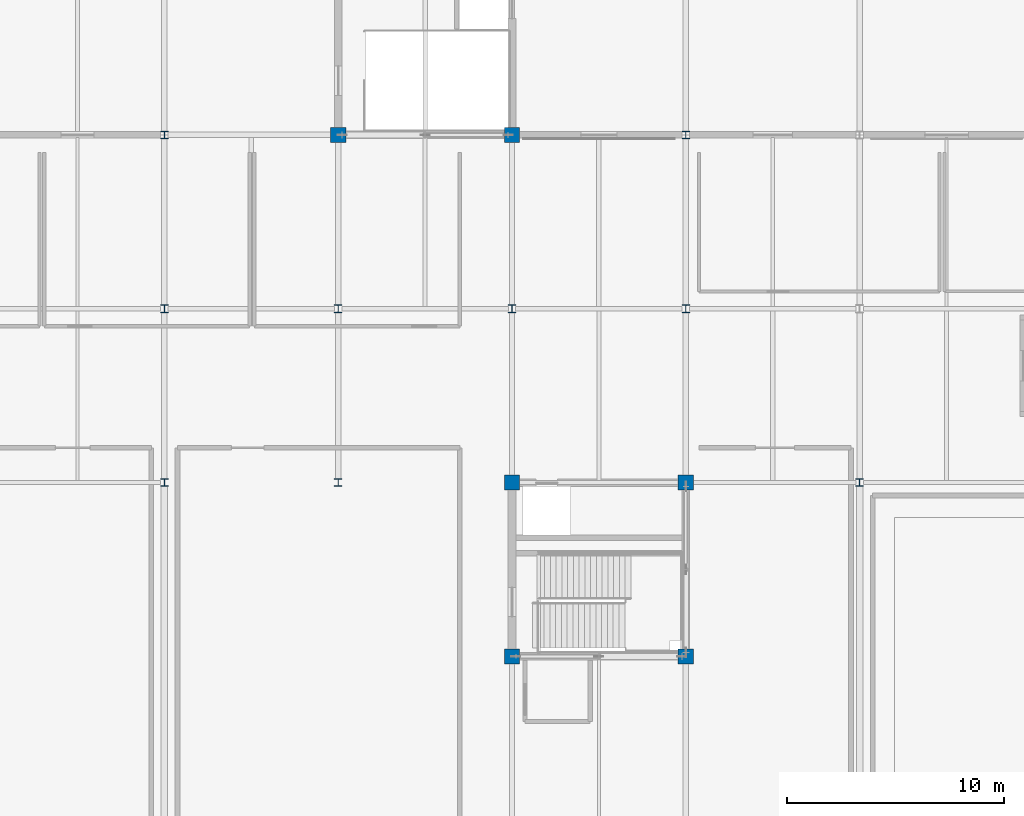
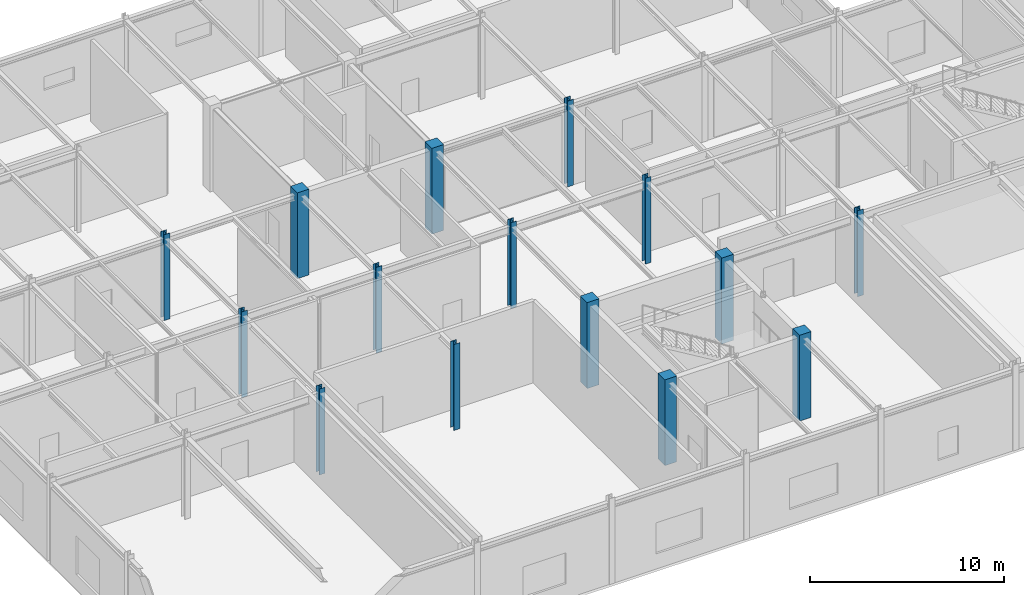
# One storey, part 13 of 108: 15 columns.
"""IFC4 building model written with IfcOpenShell, lengths in metres."""

from ifc_helpers import new_model, si_unit, direction, frame, origin, origin_2d, place, context, subcontext, project, spatial, rectangle, i_section, extrude, material, material_profile, profile_set, type_object, element, save


model = new_model("IFC4")

# Units and contexts
model_context = context("Model", 3, precision=1e-05, world=origin(), true_north=direction((0.0, 1.0)))
body_context = subcontext(model_context, "Body", "Model", "MODEL_VIEW")
ifc_project = project(units=[si_unit("LENGTHUNIT", "METRE"), si_unit("AREAUNIT", "SQUARE_METRE"), si_unit("VOLUMEUNIT", "CUBIC_METRE"), si_unit("PLANEANGLEUNIT", "RADIAN"), si_unit("MASSUNIT", "GRAM", prefix="KILO")], contexts=[model_context])

# Site, building, storey
site_placement = place(None, origin())
site = spatial("IfcSite", under=ifc_project, at=site_placement, CompositionType="ELEMENT")
building_placement = place(site_placement, origin())
building = spatial("IfcBuilding", under=site, at=building_placement, Name="Zhaolan Boulevard Law Courts", CompositionType="ELEMENT")
storey_placement = place(building_placement, frame((0.0, 0.0, 10.800048828125)))
storey = spatial("IfcBuildingStorey", under=building, at=storey_placement, Name="L02", CompositionType="ELEMENT", Elevation=10.800048828125)

# Columns
ifc_material_1 = material(Name="Structural steel Q355B", Category="steel")
ifc_material_profile_1 = material_profile(ifc_material_1, i_section(OverallWidth=0.35009765625, OverallDepth=0.35009765625, WebThickness=0.011962890625, FlangeThickness=0.01904296875, FilletRadius=0.02001953125, at=origin_2d()), Name="HW350x350")
ifc_profile_set_1 = profile_set([ifc_material_profile_1], Name="Structural steel Q355B")
column_type_1 = type_object("IfcColumnType", Name="COL HW350", PredefinedType="COLUMN", material=ifc_profile_set_1)
for number, where, z_axis, x_axis, name in (
    (1, (68.0, 78.0, 0.0), (0.0, 0.0, 1.0), (1.0, 0.0, 0.0), "Column C-9L (L02)"),
    (2, (68.0, 86.0, 0.0), (0.0, 0.0, 1.0), (1.0, 0.0, 0.0), "Column C-9M (L02)"),
    (3, (68.0, 94.0, 0.0), (0.0, 0.0, 1.0), (1.0, 0.0, 0.0), "Column C-9N (L02)"),
    (4, (76.0, 78.0, 0.0), (0.0, 0.0, 1.0), (1.0, 0.0, 0.0), "Column C-10L (L02)"),
    (5, (76.0, 86.0, 0.0), (0.0, 0.0, 1.0), (1.0, 0.0, 0.0), "Column C-10M (L02)"),
    (6, (84.0, 86.0, 0.0), (0.0, 0.0, 1.0), (1.0, 0.0, 0.0), "Column C-11M (L02)"),
    (7, (92.0, 86.0, 0.0), (0.0, 0.0, 1.0), (1.0, 0.0, 0.0), "Column C-12M (L02)"),
    (8, (92.0, 94.0, 0.0), (0.0, 0.0, 1.0), (1.0, 0.0, 0.0), "Column C-12N (L02)"),
    (9, (100.0, 78.0, 0.0), (0.0, 0.0, 1.0), (1.0, 0.0, 0.0), "Column C-13L (L02)"),
):
    element("IfcColumn", number, at=place(storey_placement, frame(where, z_axis=z_axis, x_axis=x_axis)), inside=storey, type_object=column_type_1, Name=name, PredefinedType="COLUMN", context=body_context, shape_type="SweptSolid", body=[
        extrude(i_section(OverallWidth=0.35009765625, OverallDepth=0.35009765625, WebThickness=0.011962890625, FlangeThickness=0.01904296875, FilletRadius=0.02001953125, at=origin_2d()), origin(), (0.0, 0.0, 1.0), 5.39990234375),
    ])
ifc_material_2 = material(Name="Concrete C50", Category="concrete")
ifc_material_profile_2 = material_profile(ifc_material_2, rectangle(XDim=0.699951171875, YDim=0.699951171875, at=origin_2d()), Name="RC700x700")
ifc_profile_set_2 = profile_set([ifc_material_profile_2], Name="Concrete C50")
column_type_2 = type_object("IfcColumnType", Name="COL RC700", PredefinedType="COLUMN", material=ifc_profile_set_2)
for number, where, z_axis, x_axis, name in (
    (10, (76.0, 94.0, 0.0), (0.0, 0.0, 1.0), (1.0, 0.0, 0.0), "Column C-10N (L02)"),
    (11, (84.0, 70.0, 0.0), (0.0, 0.0, 1.0), (1.0, 0.0, 0.0), "Column C-11K (L02)"),
    (12, (84.0, 78.0, 0.0), (0.0, 0.0, 1.0), (1.0, 0.0, 0.0), "Column C-11L (L02)"),
    (13, (84.0, 94.0, 0.0), (0.0, 0.0, 1.0), (1.0, 0.0, 0.0), "Column C-11N (L02)"),
    (14, (92.0, 70.0, 0.0), (0.0, 0.0, 1.0), (1.0, 0.0, 0.0), "Column C-12K (L02)"),
    (15, (92.0, 78.0, 0.0), (0.0, 0.0, 1.0), (1.0, 0.0, 0.0), "Column C-12L (L02)"),
):
    element("IfcColumn", number, at=place(storey_placement, frame(where, z_axis=z_axis, x_axis=x_axis)), inside=storey, type_object=column_type_2, Name=name, PredefinedType="COLUMN", context=body_context, shape_type="SweptSolid", body=[
        extrude(rectangle(XDim=0.699951171875, YDim=0.699951171875, at=origin_2d()), origin(), (0.0, 0.0, 1.0), 5.39990234375),
    ])

save(model, "model.ifc")
